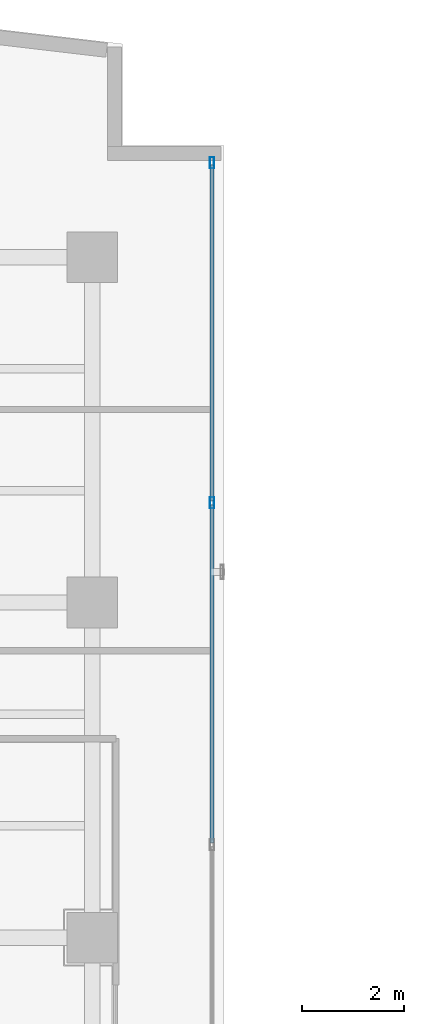
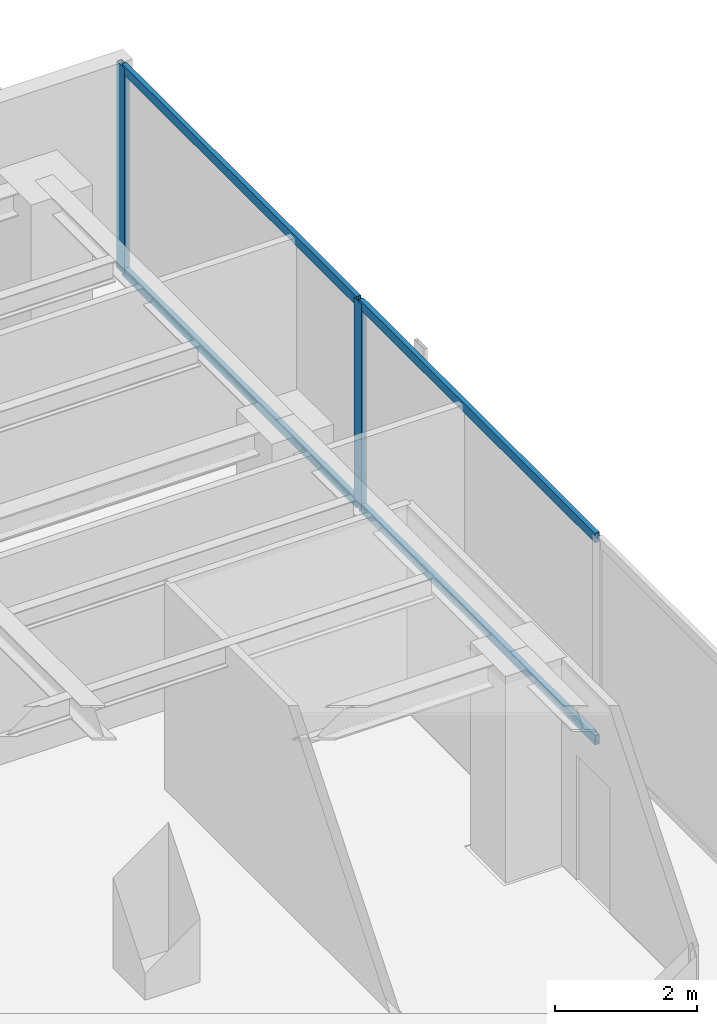
# One storey, part 14 of 23: 6 members, 1 element without a shape of its own.
"""IFC4 building model written with IfcOpenShell, lengths in metres."""

import ifcopenshell
import ifcopenshell.guid

model = None  # the IFC model being written
_history = None  # IfcOwnerHistory: only IFC2X3 demands one
_inside = {}  # id of a spatial element -> (the spatial element, [elements in it])
_under = {}  # id of a project, library or spatial element -> (it, [spatial elements below it])
_declared = {}  # id of a project -> (the project, [libraries it declares])
_typed = {}  # id of a type object -> (the type object, [elements of that type])
_made_of = {}  # id of a material, layer set ... -> (it, [elements and type objects made of it])


def new_model(schema):
    """Start an empty IFC model of exactly this schema.

    Asked for "IFC4X3", IfcOpenShell would pick the latest addendum, in which some entities
    have other attributes; the version numbers below select the first issue.
    IFC2X3 requires an IfcOwnerHistory on every rooted entity: one is made here for all.
    """
    global model, _history
    if schema == "IFC4X3":
        model = ifcopenshell.file(schema_version=(4, 3, 0, 0))
    else:
        model = ifcopenshell.file(schema=schema)
    _inside.clear()
    _under.clear()
    _declared.clear()
    _typed.clear()
    _made_of.clear()
    _history = None
    if model.schema == "IFC2X3":
        org = make("IfcOrganization", Name="unknown")
        user = make(
            "IfcPersonAndOrganization",
            ThePerson=make("IfcPerson", FamilyName="unknown"),
            TheOrganization=org,
        )
        app = make(
            "IfcApplication",
            ApplicationDeveloper=org,
            Version="unknown",
            ApplicationFullName="unknown",
            ApplicationIdentifier="unknown",
        )
        _history = make(
            "IfcOwnerHistory",
            OwningUser=user,
            OwningApplication=app,
            ChangeAction="ADDED",
            CreationDate=0,
        )
    return model


def make(cls, **values):
    """One entity of the class cls with the attributes given. An attribute that is None is left unset."""
    return model.create_entity(
        cls, **{name: value for name, value in values.items() if value is not None}
    )


def rooted(cls, **values):
    """An entity with a GlobalId (a new one), such as an element, a storey or a relation."""
    return make(cls, GlobalId=ifcopenshell.guid.new(), OwnerHistory=_history, **values)


def si_unit(unit_type, name, prefix=None):
    """IfcSIUnit, for example si_unit("LENGTHUNIT", "METRE", prefix="MILLI")."""
    return make("IfcSIUnit", UnitType=unit_type, Prefix=prefix, Name=name)


def assignment(units):
    """IfcUnitAssignment: the units of a project."""
    return None if units is None else make("IfcUnitAssignment", Units=units)


def point(xyz):
    """IfcCartesianPoint."""
    return None if xyz is None else make("IfcCartesianPoint", Coordinates=xyz)


def direction(xyz):
    """IfcDirection."""
    return None if xyz is None else make("IfcDirection", DirectionRatios=xyz)


def frame(location, z_axis=None, x_axis=None):
    """IfcAxis2Placement3D, a coordinate frame: its origin and axes. An axis left out is left unset."""
    return make(
        "IfcAxis2Placement3D",
        Location=point(location),
        Axis=direction(z_axis),
        RefDirection=direction(x_axis),
    )


def frame_2d(location, x_axis=None):
    """IfcAxis2Placement2D, a coordinate frame in the plane: its origin and x axis."""
    return make(
        "IfcAxis2Placement2D", Location=point(location), RefDirection=direction(x_axis)
    )


def origin():
    """The frame at (0, 0, 0) with its axes left unset."""
    return frame((0.0, 0.0, 0.0))


def origin_with_axes():
    """The frame at (0, 0, 0) with the z axis (0, 0, 1) and the x axis (1, 0, 0) written out."""
    return frame((0.0, 0.0, 0.0), z_axis=(0.0, 0.0, 1.0), x_axis=(1.0, 0.0, 0.0))


def origin_2d():
    """The frame at (0, 0) in the plane with its x axis left unset."""
    return frame_2d((0.0, 0.0))


def place(relative_to, where):
    """IfcLocalPlacement: puts the frame where relative to a parent placement (None: the world)."""
    return make(
        "IfcLocalPlacement", PlacementRelTo=relative_to, RelativePlacement=where
    )


def context(
    kind, dimensions, precision=None, world=None, true_north=None, identifier=None
):
    """IfcGeometricRepresentationContext, for example the 3D "Model" context."""
    return make(
        "IfcGeometricRepresentationContext",
        ContextIdentifier=identifier,
        ContextType=kind,
        CoordinateSpaceDimension=dimensions,
        Precision=precision,
        WorldCoordinateSystem=world,
        TrueNorth=true_north,
    )


def subcontext(parent, identifier, kind, view, scale=None):
    """IfcGeometricRepresentationSubContext, for example "Body" below "Model"."""
    return make(
        "IfcGeometricRepresentationSubContext",
        ContextIdentifier=identifier,
        ContextType=kind,
        ParentContext=parent,
        TargetScale=scale,
        TargetView=view,
    )


def project(units=None, contexts=None):
    """IfcProject with its units and contexts."""
    return rooted(
        "IfcProject",
        Name="project",
        RepresentationContexts=contexts,
        UnitsInContext=assignment(units),
    )


def spatial(cls, under=None, at=None, **own):
    """A site, building, storey or space (cls), placed at a placement, below another one or the project."""
    s = rooted(cls, ObjectPlacement=at, **own)
    if under is not None:
        _under.setdefault(under.id(), (under, []))[1].append(s)
    return s


def profile(cls, at=None, kind="AREA", **sizes):
    """A parametric profile (cls). Its sizes go by their IFC names, for example OverallWidth=200.0."""
    return make(cls, ProfileType=kind, Position=at, **sizes)


def hollow_rectangle(**sizes):
    """IfcRectangleHollowProfileDef."""
    return profile("IfcRectangleHollowProfileDef", **sizes)


def extrude(swept, where, along, depth):
    """IfcExtrudedAreaSolid: the profile swept, set in the frame where, extruded along a direction by depth."""
    return make(
        "IfcExtrudedAreaSolid",
        SweptArea=swept,
        Position=where,
        ExtrudedDirection=direction(along),
        Depth=depth,
    )


def shape(context_of_items, identifier, shape_type, items):
    """IfcShapeRepresentation: the items that make up one representation, for example the "Body"."""
    return make(
        "IfcShapeRepresentation",
        ContextOfItems=context_of_items,
        RepresentationIdentifier=identifier,
        RepresentationType=shape_type,
        Items=items,
    )


def source(mapping_origin, context_of_items, identifier, shape_type, items):
    """IfcRepresentationMap: a shape defined once, which mapped items show again and again."""
    return make(
        "IfcRepresentationMap",
        MappingOrigin=mapping_origin,
        MappedRepresentation=shape(context_of_items, identifier, shape_type, items),
    )


def transform(
    local_origin,
    x_axis=None,
    y_axis=None,
    z_axis=None,
    scale=None,
    scale2=None,
    scale3=None,
    uniform=True,
):
    """IfcCartesianTransformationOperator3D, or its non-uniform kind. x_axis, y_axis, z_axis: its Axis1, 2, 3."""
    if uniform:
        return make(
            "IfcCartesianTransformationOperator3D",
            Axis1=direction(x_axis),
            Axis2=direction(y_axis),
            LocalOrigin=point(local_origin),
            Scale=scale,
            Axis3=direction(z_axis),
        )
    return make(
        "IfcCartesianTransformationOperator3DnonUniform",
        Axis1=direction(x_axis),
        Axis2=direction(y_axis),
        LocalOrigin=point(local_origin),
        Scale=scale,
        Axis3=direction(z_axis),
        Scale2=scale2,
        Scale3=scale3,
    )


def mapped(mapping_source, mapping_target):
    """IfcMappedItem: shows the shape of a source again, moved by a transform."""
    return make(
        "IfcMappedItem", MappingSource=mapping_source, MappingTarget=mapping_target
    )


def material(Name=None, Category=None):
    """IfcMaterial."""
    return make("IfcMaterial", Name=Name, Category=Category)


def layer(
    of_material, thickness, ventilated=None, Name=None, Category=None, Priority=None
):
    """IfcMaterialLayer: one layer of a wall or slab, of a material (None: an air gap)."""
    return make(
        "IfcMaterialLayer",
        Material=of_material,
        LayerThickness=thickness,
        IsVentilated=ventilated,
        Name=Name,
        Category=Category,
        Priority=Priority,
    )


def layer_set(layers, Name=None):
    """IfcMaterialLayerSet."""
    return make("IfcMaterialLayerSet", MaterialLayers=layers, LayerSetName=Name)


def material_profile(
    of_material, cross_section, Name=None, Category=None, Priority=None
):
    """IfcMaterialProfile: a cross section and its material."""
    return make(
        "IfcMaterialProfile",
        Name=Name,
        Material=of_material,
        Profile=cross_section,
        Priority=Priority,
        Category=Category,
    )


def profile_set(profiles, Name=None, composite=None):
    """IfcMaterialProfileSet."""
    return make(
        "IfcMaterialProfileSet",
        Name=Name,
        MaterialProfiles=profiles,
        CompositeProfile=composite,
    )


def made_of(thing, what):
    """Note that an element or type object is made of a material, layer set ...; save() writes the relation."""
    if what is not None:
        _made_of.setdefault(what.id(), (what, []))[1].append(thing)
    return thing


def type_object(cls, material=None, **own):
    """A type object (cls), such as IfcWallType, which elements share."""
    return made_of(rooted(cls, **own), material)


def element(
    cls,
    number,
    at=None,
    inside=None,
    cuts=None,
    type_object=None,
    material=None,
    context=None,
    identifier="Body",
    shape_type=None,
    held_by="IfcProductDefinitionShape",
    body=None,
    shapes=None,
    **own,
):
    """One element of the class cls, such as IfcWall. Its Tag is "e" and its number.

    at: its placement. inside: the storey or other place that contains it. cuts: it is an
    opening in that element (IfcRelVoidsElement). A single representation is given by context,
    identifier, shape_type and body (its items); several are given by shapes. held_by: the class
    of the entity that holds the representations. save() writes the other relations.
    """
    e = rooted(cls, Tag="e%d" % number, ObjectPlacement=at, **own)
    if body is not None:
        shapes = [shape(context, identifier, shape_type, body)]
    if shapes is not None:
        e.Representation = make(held_by, Representations=shapes)
    if inside is not None:
        _inside.setdefault(inside.id(), (inside, []))[1].append(e)
    if cuts is not None:
        rooted(
            "IfcRelVoidsElement", RelatingBuildingElement=cuts, RelatedOpeningElement=e
        )
    if type_object is not None:
        _typed.setdefault(type_object.id(), (type_object, []))[1].append(e)
    return made_of(e, material)


def aggregate(whole, parts):
    """IfcRelAggregates: a whole, such as a stair, and the parts it consists of."""
    return rooted("IfcRelAggregates", RelatingObject=whole, RelatedObjects=parts)


def save(model, path):
    """Write the relations noted so far, then the file.

    IfcRelAggregates (storeys below a building ...), IfcRelContainedInSpatialStructure (elements
    in a storey), IfcRelDefinesByType, IfcRelAssociatesMaterial and IfcRelDeclares: one each for
    every whole, place, type object, material and project.
    """
    for whole, parts in _under.values():
        aggregate(whole, parts)
    for where, things in _inside.values():
        rooted(
            "IfcRelContainedInSpatialStructure",
            RelatedElements=things,
            RelatingStructure=where,
        )
    for kind, things in _typed.values():
        rooted("IfcRelDefinesByType", RelatedObjects=things, RelatingType=kind)
    for what, things in _made_of.values():
        rooted("IfcRelAssociatesMaterial", RelatedObjects=things, RelatingMaterial=what)
    for by, libraries in _declared.values():
        rooted("IfcRelDeclares", RelatingContext=by, RelatedDefinitions=libraries)
    model.write(path)


model = new_model("IFC4")

# Units and contexts
model_context = context("Model", 3, precision=1e-05, world=origin(), true_north=direction((0.0, 1.0)))
body_context = subcontext(model_context, "Body", "Model", "MODEL_VIEW")
ifc_project = project(units=[si_unit("LENGTHUNIT", "METRE"), si_unit("AREAUNIT", "SQUARE_METRE"), si_unit("VOLUMEUNIT", "CUBIC_METRE"), si_unit("PLANEANGLEUNIT", "RADIAN"), si_unit("MASSUNIT", "GRAM", prefix="KILO")], contexts=[model_context])

# Site, building, storey
site_placement = place(None, origin())
site = spatial("IfcSite", under=ifc_project, at=site_placement, CompositionType="ELEMENT")
building_placement = place(site_placement, origin())
building = spatial("IfcBuilding", under=site, at=building_placement, Name="Kolvaren Waterfront Exchange", CompositionType="ELEMENT")
storey_placement = place(building_placement, frame((0.0, 0.0, 212.10009765625)))
storey = spatial("IfcBuildingStorey", under=building, at=storey_placement, Name="L54", CompositionType="ELEMENT", Elevation=212.10009765625)

# Curtain wall, members
ifc_material_1 = material(Name="Anodised bronze aluminium 6063-T6", Category="aluminium")
ifc_layer = layer(ifc_material_1, 0.219970703125, Name="Anodised bronze aluminium 6063-T6")
ifc_layer_set = layer_set([ifc_layer], Name="Anodised bronze aluminium 6063-T6")
curtain_wall_type = type_object("IfcCurtainWallType", Name="ARC-CW-SYS1", PredefinedType="USERDEFINED", material=ifc_layer_set)
curtain_wall_placement = place(storey_placement, origin())
curtain_wall = element("IfcCurtainWall", 1, at=curtain_wall_placement, inside=storey, type_object=curtain_wall_type, Name="L54 stick curtain wall CW1 (CW-L54-NE)", ObjectType="STICK CURTAIN WALL", PredefinedType="USERDEFINED")
ifc_material_2 = material(Name="Anodised aluminium 6063-T6", Category="aluminium")
ifc_material_profile_1 = material_profile(ifc_material_2, hollow_rectangle(XDim=0.080078125, YDim=0.219970703125, WallThickness=0.0048828125, at=origin_2d()), Name="ALU-MUL-220x80x5")
ifc_profile_set_1 = profile_set([ifc_material_profile_1], Name="Anodised aluminium 6063-T6")
member_type_1 = type_object("IfcMemberType", Name="ARC-CWM-220", PredefinedType="MULLION", material=ifc_profile_set_1)
shared_shape_1 = source(origin_with_axes(), body_context, "Body", "SweptSolid", [
    extrude(hollow_rectangle(XDim=0.080078125, YDim=0.219970703125, WallThickness=0.0048828125, at=origin_2d()), origin(), (0.0, 0.0, 1.0), 3.559814453125),
])
member_1_placement = place(storey_placement, frame((21.159912109375, 39.763427734375, 0.0), z_axis=(0.0, 0.0, 1.0), x_axis=(-1.0, 0.0, 0.0)))
member_1 = element("IfcMember", 2, at=member_1_placement, type_object=member_type_1, Name="CW1 mullion 3", PredefinedType="MULLION", context=body_context, shape_type="MappedRepresentation", body=[
    mapped(shared_shape_1, transform((0.0, 0.0, 0.0), x_axis=(1.0, 0.0, 0.0), y_axis=(0.0, 1.0, 0.0), z_axis=(0.0, 0.0, 1.0), scale=1.0)),
])
member_2_placement = place(storey_placement, frame((21.159912109375, 46.4599609375, 0.0), z_axis=(0.0, 0.0, 1.0), x_axis=(-1.0, 0.0, 0.0)))
member_2 = element("IfcMember", 3, at=member_2_placement, type_object=member_type_1, Name="CW1 mullion 4", PredefinedType="MULLION", context=body_context, shape_type="MappedRepresentation", body=[
    mapped(shared_shape_1, transform((0.0, 0.0, 0.0), x_axis=(1.0, 0.0, 0.0), y_axis=(0.0, 1.0, 0.0), z_axis=(0.0, 0.0, 1.0), scale=1.0)),
])
ifc_material_profile_2 = material_profile(ifc_material_2, hollow_rectangle(XDim=0.074951171875, YDim=0.159912109375, WallThickness=0.00439453125, at=origin_2d()), Name="ALU-TRN-160x75x4.5")
ifc_profile_set_2 = profile_set([ifc_material_profile_2], Name="Anodised aluminium 6063-T6")
member_type_2 = type_object("IfcMemberType", Name="ARC-CWT-160", PredefinedType="USERDEFINED", material=ifc_profile_set_2)
shared_shape_2 = source(origin_with_axes(), body_context, "Body", "SweptSolid", [
    extrude(hollow_rectangle(XDim=0.074951171875, YDim=0.159912109375, WallThickness=0.00439453125, at=origin_2d()), origin(), (0.0, 0.0, 1.0), 6.65673828125),
])
member_3_placement = place(storey_placement, frame((21.159912109375, 33.066650390625, 0.037353515625), z_axis=(0.0, 1.0, 0.0), x_axis=(-1.0, 0.0, 0.0)))
member_3 = element("IfcMember", 4, at=member_3_placement, type_object=member_type_2, Name="CW1 transom 2.1", ObjectType="TRANSOM", PredefinedType="USERDEFINED", context=body_context, shape_type="MappedRepresentation", body=[
    mapped(shared_shape_2, transform((0.0, 0.0, 0.0), x_axis=(1.0, 0.0, 0.0), y_axis=(0.0, 1.0, 0.0), z_axis=(0.0, 0.0, 1.0), scale=1.0)),
])
member_4_placement = place(storey_placement, frame((21.159912109375, 33.066650390625, 3.5224609375), z_axis=(0.0, 1.0, 0.0), x_axis=(-1.0, 0.0, 0.0)))
member_4 = element("IfcMember", 5, at=member_4_placement, type_object=member_type_2, Name="CW1 transom 2.2", ObjectType="TRANSOM", PredefinedType="USERDEFINED", context=body_context, shape_type="MappedRepresentation", body=[
    mapped(shared_shape_2, transform((0.0, 0.0, 0.0), x_axis=(1.0, 0.0, 0.0), y_axis=(0.0, 1.0, 0.0), z_axis=(0.0, 0.0, 1.0), scale=1.0)),
])
shared_shape_3 = source(origin_with_axes(), body_context, "Body", "SweptSolid", [
    extrude(hollow_rectangle(XDim=0.074951171875, YDim=0.159912109375, WallThickness=0.00439453125, at=origin_2d()), origin(), (0.0, 0.0, 1.0), 6.61669921875),
])
member_5_placement = place(storey_placement, frame((21.159912109375, 39.80322265625, 0.037353515625), z_axis=(0.0, 1.0, 0.0), x_axis=(-1.0, 0.0, 0.0)))
member_5 = element("IfcMember", 6, at=member_5_placement, type_object=member_type_2, Name="CW1 transom 3.1", ObjectType="TRANSOM", PredefinedType="USERDEFINED", context=body_context, shape_type="MappedRepresentation", body=[
    mapped(shared_shape_3, transform((0.0, 0.0, 0.0), x_axis=(1.0, 0.0, 0.0), y_axis=(0.0, 1.0, 0.0), z_axis=(0.0, 0.0, 1.0), scale=1.0)),
])
member_6_placement = place(storey_placement, frame((21.159912109375, 39.80322265625, 3.5224609375), z_axis=(0.0, 1.0, 0.0), x_axis=(-1.0, 0.0, 0.0)))
member_6 = element("IfcMember", 7, at=member_6_placement, type_object=member_type_2, Name="CW1 transom 3.2", ObjectType="TRANSOM", PredefinedType="USERDEFINED", context=body_context, shape_type="MappedRepresentation", body=[
    mapped(shared_shape_3, transform((0.0, 0.0, 0.0), x_axis=(1.0, 0.0, 0.0), y_axis=(0.0, 1.0, 0.0), z_axis=(0.0, 0.0, 1.0), scale=1.0)),
])
aggregate(curtain_wall, [member_1, member_2, member_3, member_4, member_5, member_6])

save(model, "model.ifc")
